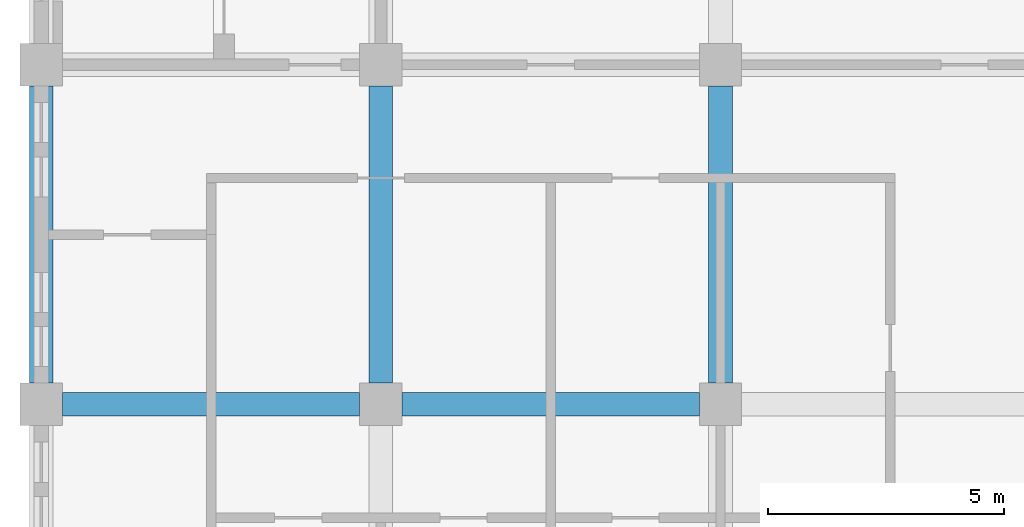
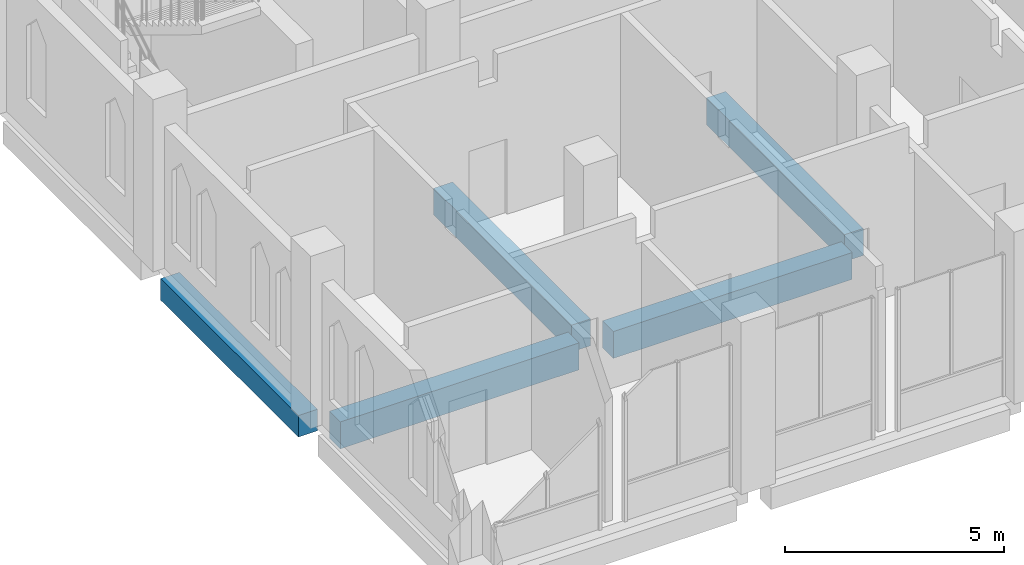
# One storey, part 9 of 39: 5 beams.
"""IFC4 building model written with IfcOpenShell, lengths in metres."""

from ifc_helpers import new_model, si_unit, direction, frame, origin, origin_2d, place, context, subcontext, project, spatial, rectangle, extrude, material, material_profile, profile_set, type_object, element, save


model = new_model("IFC4")

# Units and contexts
model_context = context("Model", 3, precision=1e-05, world=origin(), true_north=direction((0.0, 1.0)))
body_context = subcontext(model_context, "Body", "Model", "MODEL_VIEW")
ifc_project = project(units=[si_unit("LENGTHUNIT", "METRE"), si_unit("AREAUNIT", "SQUARE_METRE"), si_unit("VOLUMEUNIT", "CUBIC_METRE"), si_unit("PLANEANGLEUNIT", "RADIAN"), si_unit("MASSUNIT", "GRAM", prefix="KILO")], contexts=[model_context])

# Site, building, storey
site_placement = place(None, origin())
site = spatial("IfcSite", under=ifc_project, at=site_placement, CompositionType="ELEMENT")
building_placement = place(site_placement, origin())
building = spatial("IfcBuilding", under=site, at=building_placement, Name="Silangan Lancet Faculty of Sciences", CompositionType="ELEMENT")
storey_placement = place(building_placement, frame((0.0, 0.0, 26.39990234375)))
storey = spatial("IfcBuildingStorey", under=building, at=storey_placement, Name="L05", CompositionType="ELEMENT", Elevation=26.39990234375)

# Beams
ifc_material_1 = material(Name="Concrete C40/50", Category="concrete")
ifc_material_profile_1 = material_profile(ifc_material_1, rectangle(XDim=0.5, YDim=0.60009765625, at=origin_2d()), Name="RC 500x600")
ifc_profile_set_1 = profile_set([ifc_material_profile_1], Name="Concrete C40/50")
beam_type_1 = type_object("IfcBeamType", Name="BEAM RC 500x600", PredefinedType="BEAM", material=ifc_profile_set_1)
beam_placement = place(storey_placement, frame((0.0, 43.64990234375, -0.5498046875), z_axis=(0.0, 1.0, 0.0), x_axis=(-1.0, 0.0, 0.0)))
element("IfcBeam", 1, at=beam_placement, inside=storey, type_object=beam_type_1, Name="BM-L05-1G-1H", PredefinedType="BEAM", context=body_context, shape_type="SweptSolid", body=[
    extrude(rectangle(XDim=0.5, YDim=0.60009765625, at=origin_2d()), origin(), (0.0, 0.0, 1.0), 6.300048828125),
])
ifc_material_2 = material(Name="Concrete C40/50", Category="concrete")
ifc_material_profile_2 = material_profile(ifc_material_2, rectangle(XDim=0.5, YDim=0.75, at=origin_2d()), Name="RC 500x750")
ifc_profile_set_2 = profile_set([ifc_material_profile_2], Name="Concrete C40/50")
beam_type_2 = type_object("IfcBeamType", Name="BEAM RC 500x750", PredefinedType="BEAM", material=ifc_profile_set_2)
for number, where, z_axis, x_axis, name in (
    (2, (0.449951171875, 43.199951171875, -0.625), (1.0, 0.0, 0.0), (0.0, 1.0, 0.0), "BM-L05-1G-2G"),
    (3, (7.64990234375, 43.199951171875, -0.625), (1.0, 0.0, 0.0), (0.0, 1.0, 0.0), "BM-L05-2G-3G"),
    (4, (7.199951171875, 43.64990234375, -0.625), (0.0, 1.0, 0.0), (-1.0, 0.0, 0.0), "BM-L05-2G-2H"),
    (5, (14.39990234375, 43.64990234375, -0.625), (0.0, 1.0, 0.0), (-1.0, 0.0, 0.0), "BM-L05-3G-3H"),
):
    element("IfcBeam", number, at=place(storey_placement, frame(where, z_axis=z_axis, x_axis=x_axis)), inside=storey, type_object=beam_type_2, Name=name, PredefinedType="BEAM", context=body_context, shape_type="SweptSolid", body=[
        extrude(rectangle(XDim=0.5, YDim=0.75, at=origin_2d()), origin(), (0.0, 0.0, 1.0), 6.300048828125),
    ])

save(model, "model.ifc")
